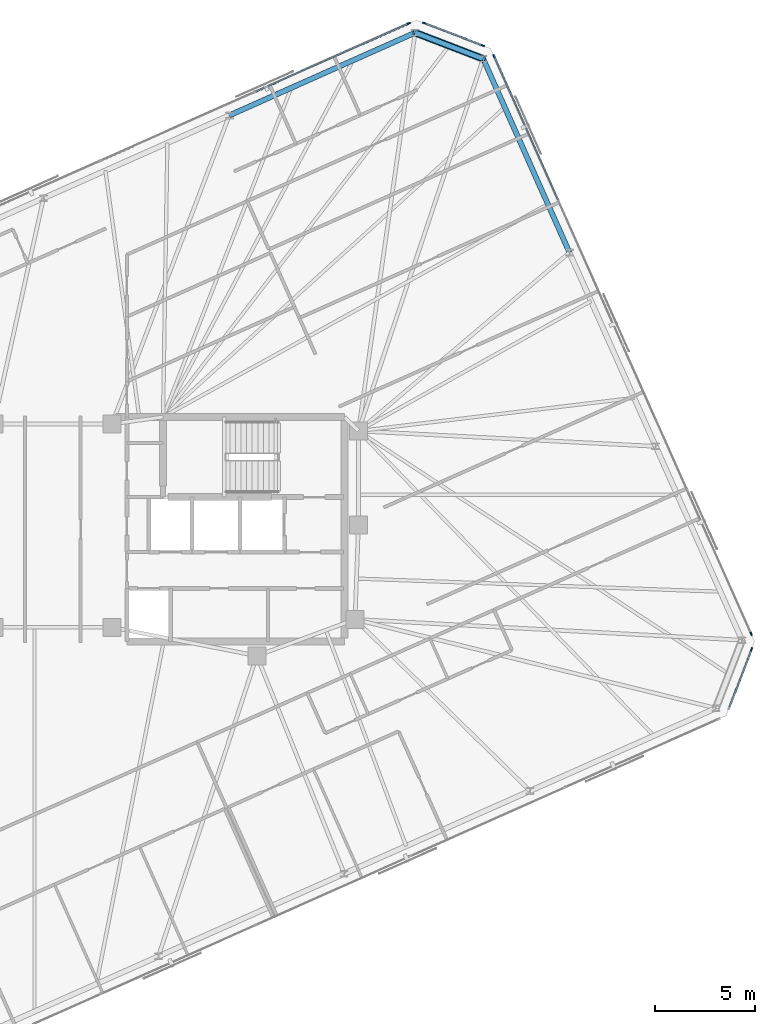
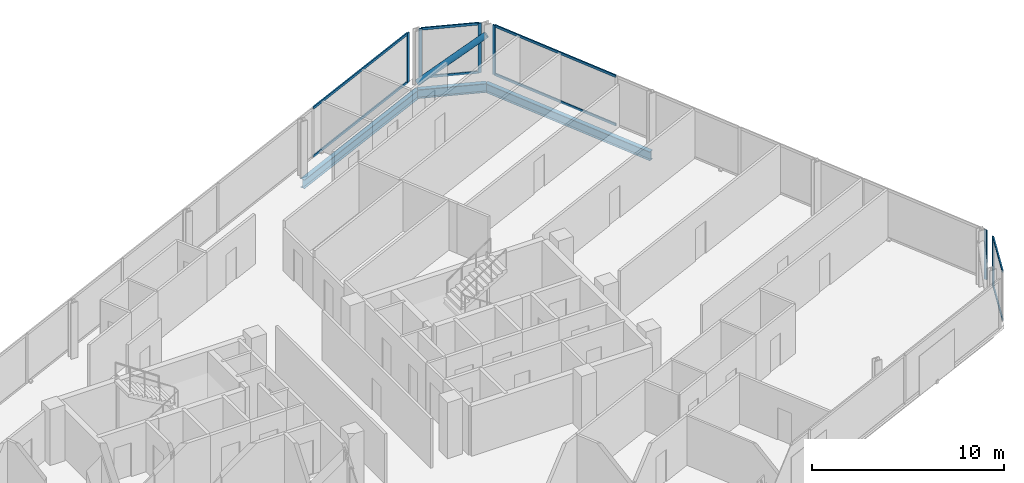
# One storey, part 11 of 19: 15 members, 3 beams, 4 elements without a shape of their own.
"""IFC4 building model written with IfcOpenShell, lengths in metres."""

from ifc_helpers import new_model, si_unit, direction, frame, origin, origin_2d, place, context, subcontext, project, spatial, rectangle, hollow_circle, i_section, extrude, material, material_profile, profile_set, type_object, element, aggregate, save


model = new_model("IFC4")

# Units and contexts
model_context = context("Model", 3, precision=1e-05, world=origin(), true_north=direction((0.0, 1.0)))
body_context = subcontext(model_context, "Body", "Model", "MODEL_VIEW")
ifc_project = project(units=[si_unit("LENGTHUNIT", "METRE"), si_unit("AREAUNIT", "SQUARE_METRE"), si_unit("VOLUMEUNIT", "CUBIC_METRE"), si_unit("PLANEANGLEUNIT", "RADIAN"), si_unit("MASSUNIT", "GRAM", prefix="KILO")], contexts=[model_context])

# Site, building, storey
site_placement = place(None, origin())
site = spatial("IfcSite", under=ifc_project, at=site_placement, CompositionType="ELEMENT")
building_placement = place(site_placement, origin())
building = spatial("IfcBuilding", under=site, at=building_placement, Name="Menara Jurai Vektor", CompositionType="ELEMENT")
storey_placement = place(building_placement, frame((0.0, 0.0, 302.0)))
storey = spatial("IfcBuildingStorey", under=building, at=storey_placement, Name="L81", CompositionType="ELEMENT", Elevation=302.0)

# Curtain wall, member
ifc_material_1 = material(Name="Anodised Pale Aluminium & Low-E Double Glazing", Category="aluminium")
curtain_wall_type = type_object("IfcCurtainWallType", Name="CW-BLK5", PredefinedType="NOTDEFINED", material=ifc_material_1)
curtain_wall_1_placement = place(storey_placement, origin())
curtain_wall_1 = element("IfcCurtainWall", 1, at=curtain_wall_1_placement, inside=storey, type_object=curtain_wall_type, Name="Unitised Curtain Wall L81 F02", PredefinedType="NOTDEFINED")
ifc_material_2 = material(Name="Anodised Pale Aluminium Mullion", Category="aluminium")
ifc_material_profile_1 = material_profile(ifc_material_2, rectangle(XDim=0.074951171875, YDim=0.175048828125, at=origin_2d()), Name="ALU MUL 75x175")
ifc_profile_set_1 = profile_set([ifc_material_profile_1], Name="Anodised Pale Aluminium Mullion")
member_type_1 = type_object("IfcMemberType", Name="CW-BLK5-MUL", PredefinedType="MULLION", material=ifc_profile_set_1)
member_1_placement = place(storey_placement, frame((34.87548828125, -5.997314453125, 0.0), z_axis=(0.0, 0.0, 1.0), x_axis=(-0.933578193639, 0.358373766287, 0.0)))
member_1 = element("IfcMember", 2, at=member_1_placement, type_object=member_type_1, Name="CW-05 mullion 2", PredefinedType="MULLION", context=body_context, shape_type="SweptSolid", body=[
    extrude(rectangle(XDim=0.074951171875, YDim=0.175048828125, at=origin_2d()), origin(), (0.0, 0.0, 1.0), 3.14501953125),
])

# Curtain wall, members
curtain_wall_2_placement = place(storey_placement, origin())
curtain_wall_2 = element("IfcCurtainWall", 3, at=curtain_wall_2_placement, inside=storey, type_object=curtain_wall_type, Name="Unitised Curtain Wall L81 F03", PredefinedType="NOTDEFINED")
member_2_placement = place(storey_placement, frame((34.85546875, -5.22607421875, 0.0), z_axis=(0.0, 0.0, 1.0), x_axis=(-0.913546127706, -0.406735138086, 0.0)))
member_2 = element("IfcMember", 4, at=member_2_placement, type_object=member_type_1, Name="CW-05 mullion 1", PredefinedType="MULLION", context=body_context, shape_type="SweptSolid", body=[
    extrude(rectangle(XDim=0.074951171875, YDim=0.175048828125, at=origin_2d()), origin(), (0.0, 0.0, 1.0), 3.14501953125),
])
member_3_placement = place(storey_placement, frame((22.016845703125, 23.610107421875, 0.0), z_axis=(0.0, 0.0, 1.0), x_axis=(-0.913546127706, -0.406735138086, 0.0)))
member_3 = element("IfcMember", 5, at=member_3_placement, type_object=member_type_1, Name="CW-05 mullion 5", PredefinedType="MULLION", context=body_context, shape_type="SweptSolid", body=[
    extrude(rectangle(XDim=0.074951171875, YDim=0.175048828125, at=origin_2d()), origin(), (0.0, 0.0, 1.0), 3.14501953125),
])

curtain_wall_3_placement = place(storey_placement, origin())
curtain_wall_3 = element("IfcCurtainWall", 6, at=curtain_wall_3_placement, inside=storey, type_object=curtain_wall_type, Name="Unitised Curtain Wall L81 F04", PredefinedType="NOTDEFINED")
member_4_placement = place(storey_placement, frame((21.45703125, 24.14111328125, 0.0), z_axis=(0.0, 0.0, 1.0), x_axis=(-0.358373766287, -0.933578193639, 0.0)))
member_4 = element("IfcMember", 7, at=member_4_placement, type_object=member_type_1, Name="CW-05 mullion 1", PredefinedType="MULLION", context=body_context, shape_type="SweptSolid", body=[
    extrude(rectangle(XDim=0.074951171875, YDim=0.175048828125, at=origin_2d()), origin(), (0.0, 0.0, 1.0), 3.14501953125),
])
member_5_placement = place(storey_placement, frame((18.539794921875, 25.2607421875, 0.0), z_axis=(0.0, 0.0, 1.0), x_axis=(-0.358373766287, -0.933578193639, 0.0)))
member_5 = element("IfcMember", 8, at=member_5_placement, type_object=member_type_1, Name="CW-05 mullion 2", PredefinedType="MULLION", context=body_context, shape_type="SweptSolid", body=[
    extrude(rectangle(XDim=0.074951171875, YDim=0.175048828125, at=origin_2d()), origin(), (0.0, 0.0, 1.0), 3.14501953125),
])

# Curtain wall, member
curtain_wall_4_placement = place(storey_placement, origin())
curtain_wall_4 = element("IfcCurtainWall", 9, at=curtain_wall_4_placement, inside=storey, type_object=curtain_wall_type, Name="Unitised Curtain Wall L81 F05", PredefinedType="NOTDEFINED")
member_6_placement = place(storey_placement, frame((17.768798828125, 25.24072265625, 0.0), z_axis=(0.0, 0.0, 1.0), x_axis=(0.406735498684, -0.913545967158, 0.0)))
member_6 = element("IfcMember", 10, at=member_6_placement, type_object=member_type_1, Name="CW-05 mullion 1", PredefinedType="MULLION", context=body_context, shape_type="SweptSolid", body=[
    extrude(rectangle(XDim=0.074951171875, YDim=0.175048828125, at=origin_2d()), origin(), (0.0, 0.0, 1.0), 3.14501953125),
])

# Member
ifc_material_3 = material(Name="Anodised Pale Aluminium Transom", Category="aluminium")
ifc_material_profile_2 = material_profile(ifc_material_3, rectangle(XDim=0.074951171875, YDim=0.155029296875, at=origin_2d()), Name="ALU TRN 75x155")
ifc_profile_set_2 = profile_set([ifc_material_profile_2], Name="Anodised Pale Aluminium Transom")
member_type_2 = type_object("IfcMemberType", Name="CW-BLK5-TRN", PredefinedType="USERDEFINED", material=ifc_profile_set_2)
member_7_placement = place(storey_placement, frame((33.769287109375, -8.87939453125, 0.03759765625), z_axis=(0.358324523823, 0.933597094911, 0.0), x_axis=(-0.933597094911, 0.358324523823, 0.0)))
member_7 = element("IfcMember", 11, at=member_7_placement, type_object=member_type_2, Name="CW-05 transom 1.1", ObjectType="TRANSOM", PredefinedType="USERDEFINED", context=body_context, shape_type="SweptSolid", body=[
    extrude(rectangle(XDim=0.074951171875, YDim=0.155029296875, at=origin_2d()), origin(), (0.0, 0.0, 1.0), 3.049560546875),
])

member_8_placement = place(storey_placement, frame((33.769287109375, -8.87939453125, 3.107421875), z_axis=(0.358324523823, 0.933597094911, 0.0), x_axis=(-0.933597094911, 0.358324523823, 0.0)))
member_8 = element("IfcMember", 12, at=member_8_placement, type_object=member_type_2, Name="CW-05 transom 1.2", ObjectType="TRANSOM", PredefinedType="USERDEFINED", context=body_context, shape_type="SweptSolid", body=[
    extrude(rectangle(XDim=0.074951171875, YDim=0.155029296875, at=origin_2d()), origin(), (0.0, 0.0, 1.0), 3.049560546875),
])

aggregate(curtain_wall_1, [member_1, member_7, member_8])

member_9_placement = place(storey_placement, frame((25.20361328125, 16.452392578125, 0.03759765625), z_axis=(-0.406751345283, 0.913538911656, 0.0), x_axis=(-0.913538911656, -0.406751345283, 0.0)))
member_9 = element("IfcMember", 13, at=member_9_placement, type_object=member_type_2, Name="CW-05 transom 4.1", ObjectType="TRANSOM", PredefinedType="USERDEFINED", context=body_context, shape_type="SweptSolid", body=[
    extrude(rectangle(XDim=0.074951171875, YDim=0.155029296875, at=origin_2d()), origin(), (0.0, 0.0, 1.0), 7.79736328125),
])

member_10_placement = place(storey_placement, frame((25.20361328125, 16.452392578125, 3.107421875), z_axis=(-0.406751345283, 0.913538911656, 0.0), x_axis=(-0.913538911656, -0.406751345283, 0.0)))
member_10 = element("IfcMember", 14, at=member_10_placement, type_object=member_type_2, Name="CW-05 transom 4.2", ObjectType="TRANSOM", PredefinedType="USERDEFINED", context=body_context, shape_type="SweptSolid", body=[
    extrude(rectangle(XDim=0.074951171875, YDim=0.155029296875, at=origin_2d()), origin(), (0.0, 0.0, 1.0), 7.79736328125),
])

aggregate(curtain_wall_2, [member_2, member_3, member_9, member_10])

member_11_placement = place(storey_placement, frame((21.422119140625, 24.154541015625, 0.03759765625), z_axis=(-0.933597094911, 0.358324523823, 0.0), x_axis=(-0.358324523823, -0.933597094911, 0.0)))
member_11 = element("IfcMember", 15, at=member_11_placement, type_object=member_type_2, Name="CW-05 transom 1.1", ObjectType="TRANSOM", PredefinedType="USERDEFINED", context=body_context, shape_type="SweptSolid", body=[
    extrude(rectangle(XDim=0.074951171875, YDim=0.155029296875, at=origin_2d()), origin(), (0.0, 0.0, 1.0), 3.049560546875),
])

member_12_placement = place(storey_placement, frame((21.422119140625, 24.154541015625, 3.107421875), z_axis=(-0.933597094911, 0.358324523823, 0.0), x_axis=(-0.358324523823, -0.933597094911, 0.0)))
member_12 = element("IfcMember", 16, at=member_12_placement, type_object=member_type_2, Name="CW-05 transom 1.2", ObjectType="TRANSOM", PredefinedType="USERDEFINED", context=body_context, shape_type="SweptSolid", body=[
    extrude(rectangle(XDim=0.074951171875, YDim=0.155029296875, at=origin_2d()), origin(), (0.0, 0.0, 1.0), 3.049560546875),
])

aggregate(curtain_wall_3, [member_4, member_5, member_11, member_12])

member_13_placement = place(storey_placement, frame((17.734375, 25.225341796875, 0.03759765625), z_axis=(-0.913549007168, -0.406728670618, 0.0), x_axis=(0.406728670618, -0.913549007168, 0.0)))
member_13 = element("IfcMember", 17, at=member_13_placement, type_object=member_type_2, Name="CW-05 transom 1.1", ObjectType="TRANSOM", PredefinedType="USERDEFINED", context=body_context, shape_type="SweptSolid", body=[
    extrude(rectangle(XDim=0.074951171875, YDim=0.155029296875, at=origin_2d()), origin(), (0.0, 0.0, 1.0), 8.327392578125),
])

member_14_placement = place(storey_placement, frame((17.734375, 25.225341796875, 3.107421875), z_axis=(-0.913549007168, -0.406728670618, 0.0), x_axis=(0.406728670618, -0.913549007168, 0.0)))
member_14 = element("IfcMember", 18, at=member_14_placement, type_object=member_type_2, Name="CW-05 transom 1.2", ObjectType="TRANSOM", PredefinedType="USERDEFINED", context=body_context, shape_type="SweptSolid", body=[
    extrude(rectangle(XDim=0.074951171875, YDim=0.155029296875, at=origin_2d()), origin(), (0.0, 0.0, 1.0), 8.327392578125),
])

aggregate(curtain_wall_4, [member_6, member_13, member_14])

ifc_material_4 = material(Name="Steel S460", Category="steel")
ifc_material_profile_3 = material_profile(ifc_material_4, hollow_circle(Radius=0.177734375, WallThickness=0.01611328125, at=origin_2d()), Name="CHS 355.6x16")
ifc_profile_set_3 = profile_set([ifc_material_profile_3], Name="Steel S460")
member_type_3 = type_object("IfcMemberType", Name="STR-BR-356", PredefinedType="BRACE", material=ifc_profile_set_3)
member_15_placement = place(storey_placement, frame((18.07958984375, 24.777099609375, 0.14990234375), z_axis=(0.75506524993, -0.289866889621, 0.588093236358), x_axis=(0.358394346877, 0.933570293083, 0.0)))
element("IfcMember", 19, at=member_15_placement, inside=storey, type_object=member_type_3, Name="Exoskeleton Corner Brace L81-2", PredefinedType="BRACE", context=body_context, shape_type="SweptSolid", body=[
    extrude(hollow_circle(Radius=0.177734375, WallThickness=0.01611328125, at=origin_2d()), origin(), (0.0, 0.0, 1.0), 4.49755859375),
])

# Beams
ifc_material_5 = material(Name="Steel S355", Category="steel")
ifc_material_profile_4 = material_profile(ifc_material_5, i_section(OverallWidth=0.260009765625, OverallDepth=0.570068359375, WebThickness=0.013916015625, FlangeThickness=0.02392578125, at=origin_2d()), Name="PG 570x260x145")
ifc_profile_set_4 = profile_set([ifc_material_profile_4], Name="Steel S355")
beam_type = type_object("IfcBeamType", Name="STR-SP-570", PredefinedType="SPANDREL", material=ifc_profile_set_4)
beam_1_placement = place(storey_placement, frame((25.781005859375, 13.80322265625, -0.510009765625), z_axis=(-0.40673543049, 0.91354599752, 0.0), x_axis=(-0.91354599752, -0.40673543049, 0.0)))
element("IfcBeam", 20, at=beam_1_placement, inside=storey, type_object=beam_type, Name="Exoskeleton Spandrel Beam L81-09", PredefinedType="SPANDREL", context=body_context, shape_type="SweptSolid", body=[
    extrude(i_section(OverallWidth=0.260009765625, OverallDepth=0.570068359375, WebThickness=0.013916015625, FlangeThickness=0.02392578125, at=origin_2d()), origin(), (0.0, 0.0, 1.0), 10.585205078125),
])
beam_2_placement = place(storey_placement, frame((21.4755859375, 23.473388671875, -0.510009765625), z_axis=(-0.933570293083, 0.358394346877, 0.0), x_axis=(-0.358394346877, -0.933570293083, 0.0)))
element("IfcBeam", 21, at=beam_2_placement, inside=storey, type_object=beam_type, Name="Exoskeleton Spandrel Beam L81-10", PredefinedType="SPANDREL", context=body_context, shape_type="SweptSolid", body=[
    extrude(i_section(OverallWidth=0.260009765625, OverallDepth=0.570068359375, WebThickness=0.013916015625, FlangeThickness=0.02392578125, at=origin_2d()), origin(), (0.0, 0.0, 1.0), 3.6376953125),
])
beam_3_placement = place(storey_placement, frame((18.07958984375, 24.777099609375, -0.510009765625), z_axis=(-0.913545561407, -0.406736410017, 0.0), x_axis=(0.406736410017, -0.913545561407, 0.0)))
element("IfcBeam", 22, at=beam_3_placement, inside=storey, type_object=beam_type, Name="Exoskeleton Spandrel Beam L81-11", PredefinedType="SPANDREL", context=body_context, shape_type="SweptSolid", body=[
    extrude(i_section(OverallWidth=0.260009765625, OverallDepth=0.570068359375, WebThickness=0.013916015625, FlangeThickness=0.02392578125, at=origin_2d()), origin(), (0.0, 0.0, 1.0), 10.1513671875),
])

save(model, "model.ifc")
